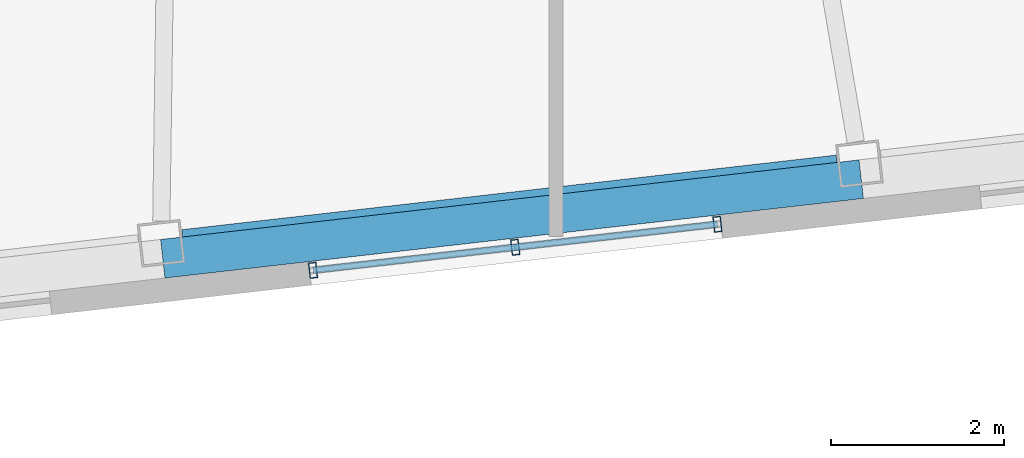
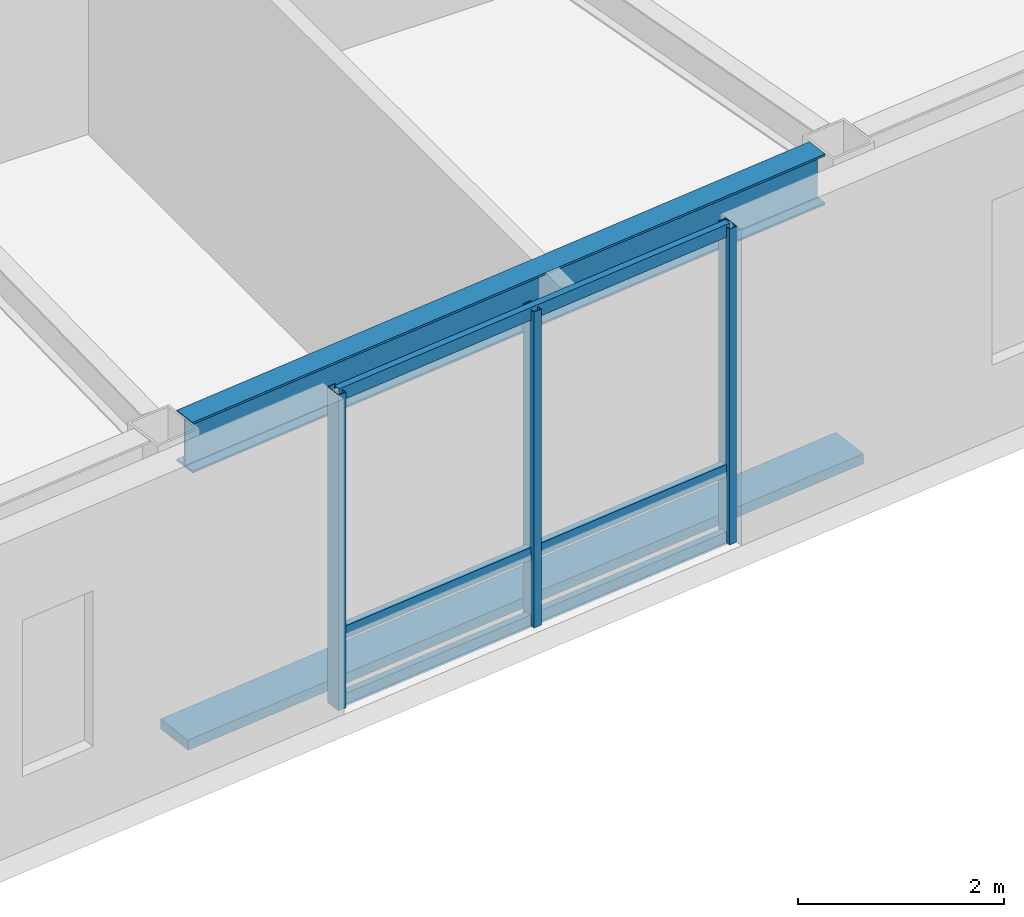
# One storey, part 6 of 19: 7 members, 1 beam, 1 element without a shape of its own.
"""IFC4 building model written with IfcOpenShell, lengths in metres."""

from ifc_helpers import new_model, si_unit, direction, frame, origin, origin_2d, place, context, subcontext, project, spatial, rectangle, hollow_rectangle, i_section, extrude, material, layer, layer_set, material_profile, profile_set, type_object, element, aggregate, save


model = new_model("IFC4")

# Units and contexts
model_context = context("Model", 3, precision=1e-05, world=origin(), true_north=direction((0.0, 1.0)))
body_context = subcontext(model_context, "Body", "Model", "MODEL_VIEW")
ifc_project = project(units=[si_unit("LENGTHUNIT", "METRE"), si_unit("AREAUNIT", "SQUARE_METRE"), si_unit("VOLUMEUNIT", "CUBIC_METRE"), si_unit("PLANEANGLEUNIT", "RADIAN"), si_unit("MASSUNIT", "GRAM", prefix="KILO")], contexts=[model_context])

# Site, building, storey
site_placement = place(None, origin())
site = spatial("IfcSite", under=ifc_project, at=site_placement, CompositionType="ELEMENT")
building_placement = place(site_placement, origin())
building = spatial("IfcBuilding", under=site, at=building_placement, Name="Tavrogorsk Clinical Tower", CompositionType="ELEMENT")
storey_placement = place(building_placement, frame((0.0, 0.0, 263.0)))
storey = spatial("IfcBuildingStorey", under=building, at=storey_placement, Name="L61", CompositionType="ELEMENT", Elevation=263.0)

# Member
ifc_material_1 = material(Name="Anodised aluminium alloy AW-6063", Category="aluminium")
ifc_material_profile_1 = material_profile(ifc_material_1, rectangle(XDim=0.449951171875, YDim=0.1201171875, at=origin_2d()), Name="ALU-SUNSHADE-450x120")
ifc_profile_set_1 = profile_set([ifc_material_profile_1], Name="Anodised aluminium alloy AW-6063")
member_type_1 = type_object("IfcMemberType", Name="ChicagoSunshade_450x120", PredefinedType="USERDEFINED", material=ifc_profile_set_1)
member_1_placement = place(storey_placement, frame((4.240478515625, -19.29150390625, 0.179931640625), z_axis=(0.9935729766, 0.113193375116, 0.0), x_axis=(-0.113193375116, 0.9935729766, 0.0)))
element("IfcMember", 1, at=member_1_placement, inside=storey, type_object=member_type_1, Name="L61 South Aluminium Sunshade S5", ObjectType="SUNSHADE", PredefinedType="USERDEFINED", context=body_context, shape_type="SweptSolid", body=[
    extrude(rectangle(XDim=0.449951171875, YDim=0.1201171875, at=origin_2d()), origin(), (0.0, 0.0, 1.0), 8.148681640625),
])

# Curtain wall, members
ifc_material_2 = material(Name="Anodised aluminium and triple IGU glazing", Category="aluminium")
ifc_layer = layer(ifc_material_2, 0.179931640625)
ifc_layer_set = layer_set([ifc_layer], Name="Anodised aluminium and triple IGU glazing")
curtain_wall_type = type_object("IfcCurtainWallType", Name="CW3_SouthSlot", PredefinedType="NOTDEFINED", material=ifc_layer_set)
curtain_wall_placement = place(storey_placement, origin())
curtain_wall = element("IfcCurtainWall", 2, at=curtain_wall_placement, inside=storey, type_object=curtain_wall_type, Name="L61 Curtain Wall CW-L61-S-SLOT-2", PredefinedType="NOTDEFINED")
ifc_material_3 = material(Name="Anodised aluminium alloy AW-6060", Category="aluminium")
ifc_material_profile_2 = material_profile(ifc_material_3, hollow_rectangle(XDim=0.090087890625, YDim=0.179931640625, WallThickness=0.00634765625, at=origin_2d()), Name="RHS-180x90x6.3")
ifc_profile_set_2 = profile_set([ifc_material_profile_2], Name="Anodised aluminium alloy AW-6060")
member_type_2 = type_object("IfcMemberType", Name="CwMullion_180x90", PredefinedType="MULLION", material=ifc_profile_set_2)
member_2_placement = place(storey_placement, frame((5.982177734375, -19.42529296875, 0.0), z_axis=(0.0, 0.0, 1.0), x_axis=(0.993571855603, 0.11320321441, 0.0)))
member_2 = element("IfcMember", 3, at=member_2_placement, type_object=member_type_2, Name="CW-L61-S-SLOT-2 Mullion 1", PredefinedType="MULLION", context=body_context, shape_type="SweptSolid", body=[
    extrude(hollow_rectangle(XDim=0.090087890625, YDim=0.179931640625, WallThickness=0.00634765625, at=origin_2d()), origin(), (0.0, 0.0, 1.0), 3.739990234375),
])
member_3_placement = place(storey_placement, frame((8.325927734375, -19.158203125, 0.0), z_axis=(0.0, 0.0, 1.0), x_axis=(0.993571855603, 0.11320321441, 0.0)))
member_3 = element("IfcMember", 4, at=member_3_placement, type_object=member_type_2, Name="CW-L61-S-SLOT-2 Mullion 2", PredefinedType="MULLION", context=body_context, shape_type="SweptSolid", body=[
    extrude(hollow_rectangle(XDim=0.090087890625, YDim=0.179931640625, WallThickness=0.00634765625, at=origin_2d()), origin(), (0.0, 0.0, 1.0), 3.739990234375),
])
member_4_placement = place(storey_placement, frame((10.669677734375, -18.89111328125, 0.0), z_axis=(0.0, 0.0, 1.0), x_axis=(0.993571855603, 0.11320321441, 0.0)))
member_4 = element("IfcMember", 5, at=member_4_placement, type_object=member_type_2, Name="CW-L61-S-SLOT-2 Mullion 3", PredefinedType="MULLION", context=body_context, shape_type="SweptSolid", body=[
    extrude(hollow_rectangle(XDim=0.090087890625, YDim=0.179931640625, WallThickness=0.00634765625, at=origin_2d()), origin(), (0.0, 0.0, 1.0), 3.739990234375),
])
ifc_material_4 = material(Name="Anodised aluminium alloy AW-6060", Category="aluminium")
ifc_material_profile_3 = material_profile(ifc_material_4, hollow_rectangle(XDim=0.074951171875, YDim=0.14990234375, WallThickness=0.0048828125, at=origin_2d()), Name="RHS-150x75x5")
ifc_profile_set_3 = profile_set([ifc_material_profile_3], Name="Anodised aluminium alloy AW-6060")
member_type_3 = type_object("IfcMemberType", Name="CwTransom_150x75", PredefinedType="USERDEFINED", material=ifc_profile_set_3)
member_5_placement = place(storey_placement, frame((5.982177734375, -19.42529296875, 0.050048828125), z_axis=(0.993569315854, 0.113225503286, 0.0), x_axis=(-0.113225503286, 0.993569315854, 0.0)))
member_5 = element("IfcMember", 6, at=member_5_placement, type_object=member_type_3, Name="CW-L61-S-SLOT-2 Transom 1", ObjectType="TRANSOM", PredefinedType="USERDEFINED", context=body_context, shape_type="SweptSolid", body=[
    extrude(hollow_rectangle(XDim=0.074951171875, YDim=0.14990234375, WallThickness=0.0048828125, at=origin_2d()), origin(), (0.0, 0.0, 1.0), 4.7177734375),
])
member_6_placement = place(storey_placement, frame((5.982177734375, -19.42529296875, 0.85009765625), z_axis=(0.993569315854, 0.113225503286, 0.0), x_axis=(-0.113225503286, 0.993569315854, 0.0)))
member_6 = element("IfcMember", 7, at=member_6_placement, type_object=member_type_3, Name="CW-L61-S-SLOT-2 Transom 2", ObjectType="TRANSOM", PredefinedType="USERDEFINED", context=body_context, shape_type="SweptSolid", body=[
    extrude(hollow_rectangle(XDim=0.074951171875, YDim=0.14990234375, WallThickness=0.0048828125, at=origin_2d()), origin(), (0.0, 0.0, 1.0), 4.7177734375),
])
member_7_placement = place(storey_placement, frame((5.982177734375, -19.42529296875, 3.68994140625), z_axis=(0.993569315854, 0.113225503286, 0.0), x_axis=(-0.113225503286, 0.993569315854, 0.0)))
member_7 = element("IfcMember", 8, at=member_7_placement, type_object=member_type_3, Name="CW-L61-S-SLOT-2 Transom 3", ObjectType="TRANSOM", PredefinedType="USERDEFINED", context=body_context, shape_type="SweptSolid", body=[
    extrude(hollow_rectangle(XDim=0.074951171875, YDim=0.14990234375, WallThickness=0.0048828125, at=origin_2d()), origin(), (0.0, 0.0, 1.0), 4.7177734375),
])
aggregate(curtain_wall, [member_2, member_3, member_4, member_5, member_6, member_7])

# Beam
ifc_material_5 = material(Name="Structural steel S390", Category="steel")
ifc_material_profile_4 = material_profile(ifc_material_5, i_section(OverallWidth=0.260009765625, OverallDepth=0.60009765625, WebThickness=0.014892578125, FlangeThickness=0.02392578125, at=origin_2d()), Name="B-600x260x15x24")
ifc_profile_set_4 = profile_set([ifc_material_profile_4], Name="Structural steel S390")
beam_type = type_object("IfcBeamType", Name="SpandrelBeam_B600", PredefinedType="SPANDREL", material=ifc_profile_set_4)
beam_placement = place(storey_placement, frame((4.476318359375, -19.08349609375, 3.43994140625), z_axis=(0.993572509708, 0.113197473259, 0.0), x_axis=(-0.113197473259, 0.993572509708, 0.0)))
element("IfcBeam", 9, at=beam_placement, inside=storey, type_object=beam_type, Name="L61 Perimeter Spandrel S5-S6", PredefinedType="SPANDREL", context=body_context, shape_type="SweptSolid", body=[
    extrude(i_section(OverallWidth=0.260009765625, OverallDepth=0.60009765625, WebThickness=0.014892578125, FlangeThickness=0.02392578125, at=origin_2d()), origin(), (0.0, 0.0, 1.0), 7.6328125),
])

save(model, "model.ifc")
